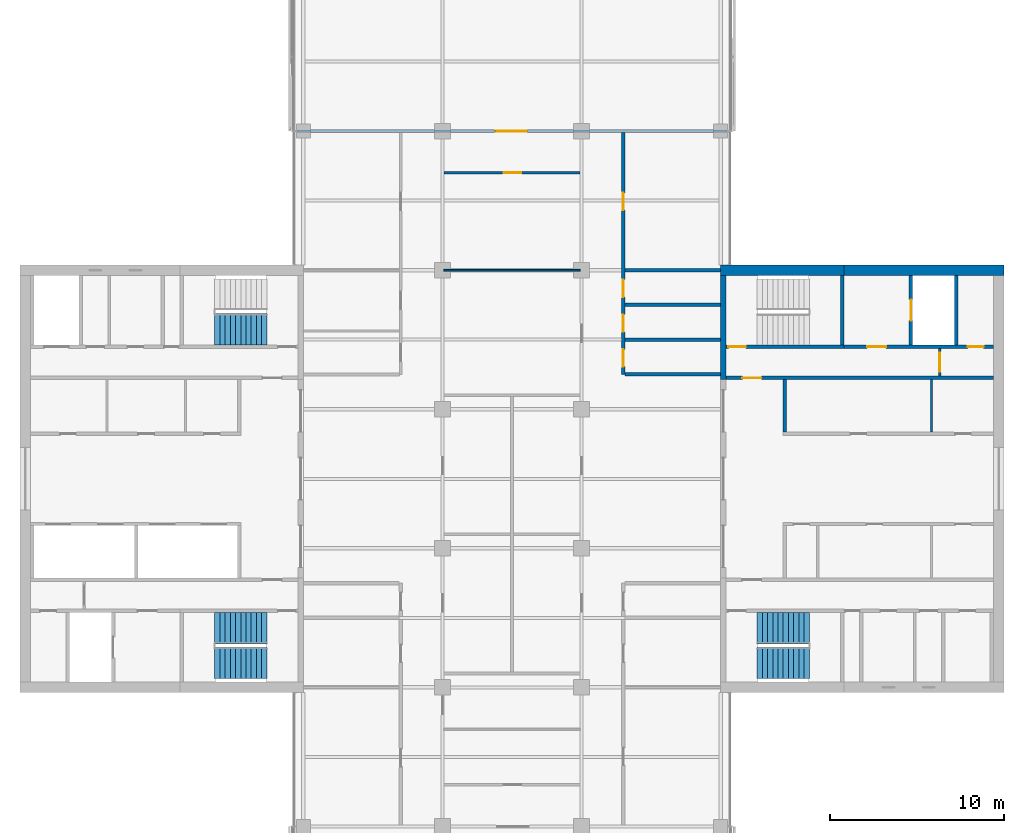
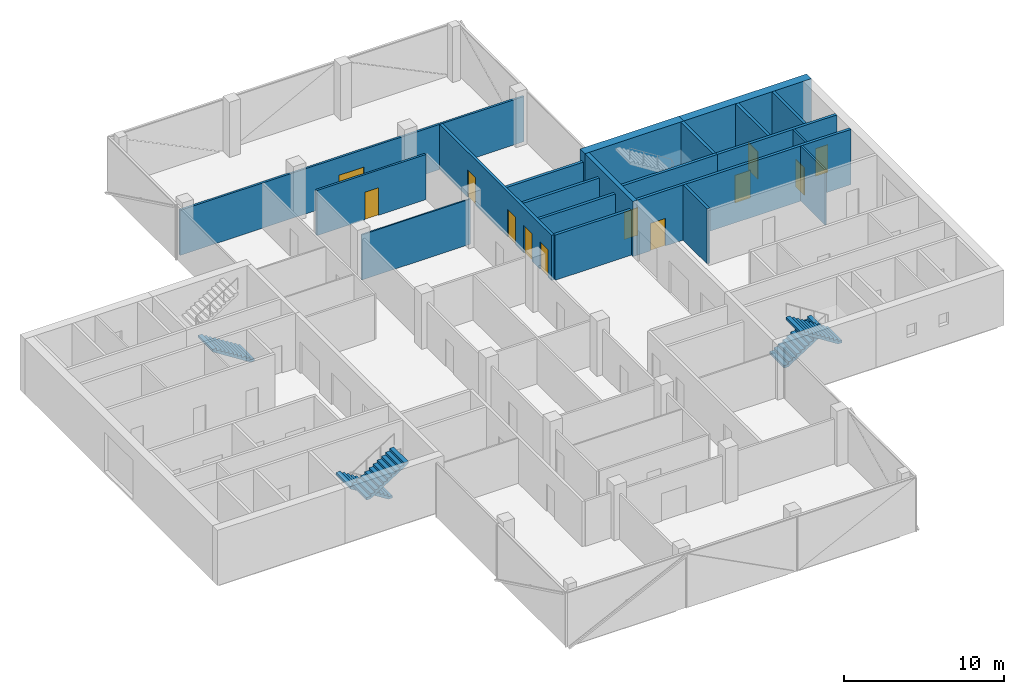
# One storey, part 12 of 16: 20 walls, 12 doors, 5 stair flights, 12 openings, 3 elements without a shape of their own.
"""IFC4 building model written with IfcOpenShell, lengths in metres."""

from ifc_helpers import new_model, si_unit, direction, frame, frame_2d, origin, place, context, subcontext, project, spatial, polyline, rectangle, outline, extrude, material, layer, layer_set, constituent, constituent_set, type_object, element, fill, aggregate, save


model = new_model("IFC4")

# Units and contexts
model_context = context("Model", 3, precision=1e-05, world=origin(), true_north=direction((0.0, 1.0)))
body_context = subcontext(model_context, "Body", "Model", "MODEL_VIEW")
ifc_project = project(units=[si_unit("LENGTHUNIT", "METRE"), si_unit("AREAUNIT", "SQUARE_METRE"), si_unit("VOLUMEUNIT", "CUBIC_METRE"), si_unit("PLANEANGLEUNIT", "RADIAN"), si_unit("MASSUNIT", "GRAM", prefix="KILO")], contexts=[model_context])

# Site, building, storey
site_placement = place(None, origin())
site = spatial("IfcSite", under=ifc_project, at=site_placement, CompositionType="ELEMENT")
building_placement = place(site_placement, origin())
building = spatial("IfcBuilding", under=site, at=building_placement, Name="Crosswind Convention Tower", CompositionType="ELEMENT")
storey_placement = place(building_placement, frame((0.0, 0.0, 208.300048828125)))
storey = spatial("IfcBuildingStorey", under=building, at=storey_placement, Name="L44", CompositionType="ELEMENT", Elevation=208.300048828125)

# Wall, openings, doors
ifc_material_1 = material(Name="Concrete blockwork", Category="masonry")
ifc_layer_1 = layer(ifc_material_1, 0.199951171875)
ifc_layer_set_1 = layer_set([ifc_layer_1], Name="COMPARTMENT WALL 200 BLOCKWORK")
wall_type_1 = type_object("IfcWallType", Name="COMPARTMENT WALL 200 BLOCKWORK", PredefinedType="SOLIDWALL", material=ifc_layer_set_1)
wall_1_placement = place(storey_placement, frame((131.39990234375, 106.0, 0.0), z_axis=(0.0, 0.0, 1.0), x_axis=(0.0, 1.0, 0.0)))
wall_1 = element("IfcWall", 1, at=wall_1_placement, inside=storey, type_object=wall_type_1, Name="Compartment wall WT42", PredefinedType="SOLIDWALL", context=body_context, shape_type="SweptSolid", body=[
    extrude(rectangle(XDim=13.925048828125, YDim=0.199951171875, at=frame_2d((6.96240234375, 0.0))), origin(), (0.0, 0.0, 1.0), 3.439697265625),
])
opening_1_placement = place(wall_1_placement, frame((0.449951171875, 0.0, 0.0)))
opening_1 = element("IfcOpeningElement", 2, at=opening_1_placement, cuts=wall_1, Name="Opening L44-50", PredefinedType="OPENING", context=body_context, shape_type="SweptSolid", body=[
    extrude(rectangle(XDim=1.0, YDim=2.10009765625, at=frame_2d((0.5, 1.050048828125))), frame((0.0, 0.10986328125, 0.0), z_axis=(0.0, -1.0, 0.0), x_axis=(1.0, 0.0, 0.0)), (0.0, 0.0, 1.0), 0.219970703125),
])
opening_2_placement = place(wall_1_placement, frame((2.449951171875, 0.0, 0.0)))
opening_2 = element("IfcOpeningElement", 3, at=opening_2_placement, cuts=wall_1, Name="Opening L44-51", PredefinedType="OPENING", context=body_context, shape_type="SweptSolid", body=[
    extrude(rectangle(XDim=1.0, YDim=2.10009765625, at=frame_2d((0.5, 1.050048828125))), frame((0.0, 0.10986328125, 0.0), z_axis=(0.0, -1.0, 0.0), x_axis=(1.0, 0.0, 0.0)), (0.0, 0.0, 1.0), 0.219970703125),
])
opening_3_placement = place(wall_1_placement, frame((4.449951171875, 0.0, 0.0)))
opening_3 = element("IfcOpeningElement", 4, at=opening_3_placement, cuts=wall_1, Name="Opening L44-52", PredefinedType="OPENING", context=body_context, shape_type="SweptSolid", body=[
    extrude(rectangle(XDim=1.0, YDim=2.10009765625, at=frame_2d((0.5, 1.050048828125))), frame((0.0, 0.10986328125, 0.0), z_axis=(0.0, -1.0, 0.0), x_axis=(1.0, 0.0, 0.0)), (0.0, 0.0, 1.0), 0.219970703125),
])
opening_4_placement = place(wall_1_placement, frame((9.449951171875, 0.0, 0.0)))
opening_4 = element("IfcOpeningElement", 5, at=opening_4_placement, cuts=wall_1, Name="Opening L44-53", PredefinedType="OPENING", context=body_context, shape_type="SweptSolid", body=[
    extrude(rectangle(XDim=1.0, YDim=2.10009765625, at=frame_2d((0.5, 1.050048828125))), frame((0.0, 0.10986328125, 0.0), z_axis=(0.0, -1.0, 0.0), x_axis=(1.0, 0.0, 0.0)), (0.0, 0.0, 1.0), 0.219970703125),
])
ifc_material_2 = material(Name="Steel fire door", Category="steel")
door_type_1 = type_object("IfcDoorType", Name="PLANT ROOM DOOR 1000X2100 FD60", OperationType="NOTDEFINED", PredefinedType="DOOR", material=ifc_material_2)
door_1_placement = place(opening_1_placement, frame((1.0, 0.0, 0.0), z_axis=(0.0, 0.0, 1.0), x_axis=(-1.0, 0.0, 0.0)))
door_1 = element("IfcDoor", 6, at=door_1_placement, inside=storey, type_object=door_type_1, Name="Door L44-50", ObjectType="D43", OperationType="SINGLE_SWING_RIGHT", OverallHeight=2.10009765625, OverallWidth=1.0, PredefinedType="DOOR", context=body_context, shape_type="SweptSolid", body=[
    extrude(rectangle(XDim=1.0, YDim=2.10009765625, at=frame_2d((0.5, 1.050048828125))), frame((0.0, 0.02490234375, 0.0), z_axis=(0.0, -1.0, 0.0), x_axis=(1.0, 0.0, 0.0)), (0.0, 0.0, 1.0), 0.050048828125),
])
fill(opening_1, door_1)
door_2_placement = place(opening_3_placement, frame((1.0, 0.0, 0.0), z_axis=(0.0, 0.0, 1.0), x_axis=(-1.0, 0.0, 0.0)))
door_2 = element("IfcDoor", 7, at=door_2_placement, inside=storey, type_object=door_type_1, Name="Door L44-52", ObjectType="D43", OperationType="SINGLE_SWING_RIGHT", OverallHeight=2.10009765625, OverallWidth=1.0, PredefinedType="DOOR", context=body_context, shape_type="SweptSolid", body=[
    extrude(rectangle(XDim=1.0, YDim=2.10009765625, at=frame_2d((0.5, 1.050048828125))), frame((0.0, 0.02490234375, 0.0), z_axis=(0.0, -1.0, 0.0), x_axis=(1.0, 0.0, 0.0)), (0.0, 0.0, 1.0), 0.050048828125),
])
fill(opening_3, door_2)
ifc_material_3 = material(Name="Timber fire door", Category="wood")
door_type_2 = type_object("IfcDoorType", Name="TENANCY ENTRANCE DOOR 1000X2100 FD30S", OperationType="NOTDEFINED", PredefinedType="DOOR", material=ifc_material_3)
door_3_placement = place(opening_2_placement, frame((1.0, 0.0, 0.0), z_axis=(0.0, 0.0, 1.0), x_axis=(-1.0, 0.0, 0.0)))
door_3 = element("IfcDoor", 8, at=door_3_placement, inside=storey, type_object=door_type_2, Name="Door L44-51", ObjectType="D41", OperationType="SINGLE_SWING_RIGHT", OverallHeight=2.10009765625, OverallWidth=1.0, PredefinedType="DOOR", context=body_context, shape_type="SweptSolid", body=[
    extrude(rectangle(XDim=1.0, YDim=2.10009765625, at=frame_2d((0.5, 1.050048828125))), frame((0.0, 0.02490234375, 0.0), z_axis=(0.0, -1.0, 0.0), x_axis=(1.0, 0.0, 0.0)), (0.0, 0.0, 1.0), 0.050048828125),
])
fill(opening_2, door_3)
door_4_placement = place(opening_4_placement, frame((1.0, 0.0, 0.0), z_axis=(0.0, 0.0, 1.0), x_axis=(-1.0, 0.0, 0.0)))
door_4 = element("IfcDoor", 9, at=door_4_placement, inside=storey, type_object=door_type_2, Name="Door L44-53", ObjectType="D41", OperationType="SINGLE_SWING_RIGHT", OverallHeight=2.10009765625, OverallWidth=1.0, PredefinedType="DOOR", context=body_context, shape_type="SweptSolid", body=[
    extrude(rectangle(XDim=1.0, YDim=2.10009765625, at=frame_2d((0.5, 1.050048828125))), frame((0.0, 0.02490234375, 0.0), z_axis=(0.0, -1.0, 0.0), x_axis=(1.0, 0.0, 0.0)), (0.0, 0.0, 1.0), 0.050048828125),
])
fill(opening_4, door_4)

# Walls
for number, where, z_axis, x_axis, name in (
    (10, (131.5, 106.0, 0.0), (0.0, 0.0, 1.0), (1.0, 0.0, 0.0), "Compartment wall WT42"),
    (11, (131.5, 108.0, 0.0), (0.0, 0.0, 1.0), (1.0, 0.0, 0.0), "Compartment wall WT42"),
    (12, (131.5, 110.0, 0.0), (0.0, 0.0, 1.0), (1.0, 0.0, 0.0), "Compartment wall WT42"),
    (13, (131.5, 112.0, 0.0), (0.0, 0.0, 1.0), (1.0, 0.0, 0.0), "Compartment wall WT42"),
):
    element("IfcWall", number, at=place(storey_placement, frame(where, z_axis=z_axis, x_axis=x_axis)), inside=storey, type_object=wall_type_1, Name=name, PredefinedType="SOLIDWALL", context=body_context, shape_type="SweptSolid", body=[
        extrude(rectangle(XDim=5.5, YDim=0.199951171875, at=frame_2d((2.75, 0.0))), origin(), (0.0, 0.0, 1.0), 3.439697265625),
    ])
ifc_material_4 = material(Name="Concrete C50/60", Category="concrete")
ifc_layer_2 = layer(ifc_material_4, 0.300048828125)
ifc_layer_set_2 = layer_set([ifc_layer_2], Name="Concrete C50/60")
wall_type_2 = type_object("IfcWallType", Name="Concrete inner core wall 300", PredefinedType="SHEAR", material=ifc_layer_set_2)
wall_2_placement = place(storey_placement, frame((137.14990234375, 105.699951171875, 0.0), z_axis=(0.0, 0.0, 1.0), x_axis=(0.0, 1.0, 0.0)))
element("IfcWall", 14, at=wall_2_placement, inside=storey, type_object=wall_type_2, Name="Wall EP E L44", PredefinedType="SHEAR", context=body_context, shape_type="SweptSolid", body=[
    extrude(rectangle(XDim=6.0, YDim=0.300048828125, at=frame_2d((3.0, 0.0))), origin(), (0.0, 0.0, 1.0), 4.199951171875),
])
ifc_layer_3 = layer(ifc_material_4, 0.199951171875)
ifc_layer_set_3 = layer_set([ifc_layer_3], Name="Concrete C50/60")
wall_type_3 = type_object("IfcWallType", Name="Concrete shaft and stair wall 200", PredefinedType="SHEAR", material=ifc_layer_set_3)
wall_3_placement = place(storey_placement, frame((140.699951171875, 102.699951171875, 0.0), z_axis=(0.0, 0.0, 1.0), x_axis=(0.0, 1.0, 0.0)))
element("IfcWall", 15, at=wall_3_placement, inside=storey, type_object=wall_type_3, Name="Wall RPEND E L44", PredefinedType="SHEAR", context=body_context, shape_type="SweptSolid", body=[
    extrude(rectangle(XDim=3.0, YDim=0.199951171875, at=frame_2d((1.5, 0.0))), origin(), (0.0, 0.0, 1.0), 4.199951171875),
])

# Wall, opening, door
wall_4_placement = place(storey_placement, frame((137.300048828125, 105.800048828125, 0.0), z_axis=(0.0, 0.0, 1.0), x_axis=(1.0, 0.0, 0.0)))
wall_4 = element("IfcWall", 16, at=wall_4_placement, inside=storey, type_object=wall_type_3, Name="Wall HP E L44", PredefinedType="SHEAR", context=body_context, shape_type="SweptSolid", body=[
    extrude(rectangle(XDim=15.39990234375, YDim=0.199951171875, at=frame_2d((7.699951171875, 0.0))), origin(), (0.0, 0.0, 1.0), 4.199951171875),
])
opening_5_placement = place(wall_4_placement, frame((0.949951171875, 0.0, 0.0)))
opening_5 = element("IfcOpeningElement", 17, at=opening_5_placement, cuts=wall_4, Name="Opening D104", PredefinedType="OPENING", context=body_context, shape_type="SweptSolid", body=[
    extrude(rectangle(XDim=1.10009765625, YDim=2.10009765625, at=frame_2d((0.550048828125, 1.050048828125))), frame((0.0, 0.10986328125, 0.0), z_axis=(0.0, -1.0, 0.0), x_axis=(1.0, 0.0, 0.0)), (0.0, 0.0, 1.0), 0.219970703125),
])
door_type_3 = type_object("IfcDoorType", Name="Fire-rated single door 1100x2100", OperationType="NOTDEFINED", PredefinedType="DOOR", material=ifc_material_2)
door_5_placement = place(opening_5_placement, origin())
door_5 = element("IfcDoor", 18, at=door_5_placement, inside=storey, type_object=door_type_3, Name="Corridor door L44", ObjectType="D104", OperationType="SINGLE_SWING_LEFT", OverallHeight=2.10009765625, OverallWidth=1.10009765625, PredefinedType="DOOR", context=body_context, shape_type="SweptSolid", body=[
    extrude(rectangle(XDim=1.10009765625, YDim=2.10009765625, at=frame_2d((0.550048828125, 1.050048828125))), frame((0.0, 0.02490234375, 0.0), z_axis=(0.0, -1.0, 0.0), x_axis=(1.0, 0.0, 0.0)), (0.0, 0.0, 1.0), 0.050048828125),
])
fill(opening_5, door_5)

# Wall
wall_5_placement = place(storey_placement, frame((144.0, 107.699951171875, 0.0), z_axis=(0.0, 0.0, 1.0), x_axis=(0.0, 1.0, 0.0)))
element("IfcWall", 19, at=wall_5_placement, inside=storey, type_object=wall_type_3, Name="Wall PSE E L44", PredefinedType="SHEAR", context=body_context, shape_type="SweptSolid", body=[
    extrude(rectangle(XDim=4.0, YDim=0.199951171875, at=frame_2d((2.0, 0.0))), origin(), (0.0, 0.0, 1.0), 4.199951171875),
])

# Wall, opening, door
wall_6_placement = place(storey_placement, frame((147.949951171875, 107.699951171875, 0.0), z_axis=(0.0, 0.0, 1.0), x_axis=(0.0, 1.0, 0.0)))
wall_6 = element("IfcWall", 20, at=wall_6_placement, inside=storey, type_object=wall_type_3, Name="Wall PFLW E L44", PredefinedType="SHEAR", context=body_context, shape_type="SweptSolid", body=[
    extrude(rectangle(XDim=4.0, YDim=0.199951171875, at=frame_2d((2.0, 0.0))), origin(), (0.0, 0.0, 1.0), 4.199951171875),
])
opening_6_placement = place(wall_6_placement, frame((1.39990234375, 0.0, 0.0)))
opening_6 = element("IfcOpeningElement", 21, at=opening_6_placement, cuts=wall_6, Name="Opening LD1", PredefinedType="OPENING", context=body_context, shape_type="SweptSolid", body=[
    extrude(rectangle(XDim=1.199951171875, YDim=2.10009765625, at=frame_2d((0.60009765625, 1.050048828125))), frame((0.0, 0.10986328125, 0.0), z_axis=(0.0, -1.0, 0.0), x_axis=(1.0, 0.0, 0.0)), (0.0, 0.0, 1.0), 0.219970703125),
])
ifc_material_5 = material(Name="Stainless steel", Category="steel")
door_type_4 = type_object("IfcDoorType", Name="Lift landing door 1200x2100", OperationType="DOUBLE_DOOR_SLIDING", PredefinedType="DOOR", material=ifc_material_5)
door_6_placement = place(opening_6_placement, origin())
door_6 = element("IfcDoor", 22, at=door_6_placement, inside=storey, type_object=door_type_4, Name="Landing door FF1 L44", ObjectType="LD1", OperationType="DOUBLE_DOOR_SLIDING", OverallHeight=2.10009765625, OverallWidth=1.199951171875, PredefinedType="DOOR", context=body_context, shape_type="SweptSolid", body=[
    extrude(rectangle(XDim=1.199951171875, YDim=2.10009765625, at=frame_2d((0.60009765625, 1.050048828125))), frame((0.0, 0.02490234375, 0.0), z_axis=(0.0, -1.0, 0.0), x_axis=(1.0, 0.0, 0.0)), (0.0, 0.0, 1.0), 0.050048828125),
])
fill(opening_6, door_6)

# Wall
wall_7_placement = place(storey_placement, frame((150.550048828125, 107.699951171875, 0.0), z_axis=(0.0, 0.0, 1.0), x_axis=(0.0, 1.0, 0.0)))
element("IfcWall", 23, at=wall_7_placement, inside=storey, type_object=wall_type_3, Name="Wall PFSE E L44", PredefinedType="SHEAR", context=body_context, shape_type="SweptSolid", body=[
    extrude(rectangle(XDim=4.0, YDim=0.199951171875, at=frame_2d((2.0, 0.0))), origin(), (0.0, 0.0, 1.0), 4.199951171875),
])

# Wall, opening, door
wall_8_placement = place(storey_placement, frame((137.300048828125, 107.60009765625, 0.0), z_axis=(0.0, 0.0, 1.0), x_axis=(1.0, 0.0, 0.0)))
wall_8 = element("IfcWall", 24, at=wall_8_placement, inside=storey, type_object=wall_type_3, Name="Wall PCW E L44", PredefinedType="SHEAR", context=body_context, shape_type="SweptSolid", body=[
    extrude(rectangle(XDim=6.800048828125, YDim=0.199951171875, at=frame_2d((3.39990234375, 0.0))), origin(), (0.0, 0.0, 1.0), 4.199951171875),
])
opening_7_placement = place(wall_8_placement, frame((0.14990234375, 0.0, 0.0)))
opening_7 = element("IfcOpeningElement", 25, at=opening_7_placement, cuts=wall_8, Name="Opening D103", PredefinedType="OPENING", context=body_context, shape_type="SweptSolid", body=[
    extrude(rectangle(XDim=1.0, YDim=2.10009765625, at=frame_2d((0.5, 1.050048828125))), frame((0.0, 0.10986328125, 0.0), z_axis=(0.0, -1.0, 0.0), x_axis=(1.0, 0.0, 0.0)), (0.0, 0.0, 1.0), 0.219970703125),
])
door_type_5 = type_object("IfcDoorType", Name="Fire-rated single door 1000x2100", OperationType="NOTDEFINED", PredefinedType="DOOR", material=ifc_material_2)
door_7_placement = place(opening_7_placement, origin())
door_7 = element("IfcDoor", 26, at=door_7_placement, inside=storey, type_object=door_type_5, Name="Stair ST1 door L44", ObjectType="D103", OperationType="SINGLE_SWING_LEFT", OverallHeight=2.10009765625, OverallWidth=1.0, PredefinedType="DOOR", context=body_context, shape_type="SweptSolid", body=[
    extrude(rectangle(XDim=1.0, YDim=2.10009765625, at=frame_2d((0.5, 1.050048828125))), frame((0.0, 0.02490234375, 0.0), z_axis=(0.0, -1.0, 0.0), x_axis=(1.0, 0.0, 0.0)), (0.0, 0.0, 1.0), 0.050048828125),
])
fill(opening_7, door_7)

# Wall, openings, doors
wall_9_placement = place(storey_placement, frame((144.10009765625, 107.60009765625, 0.0), z_axis=(0.0, 0.0, 1.0), x_axis=(1.0, 0.0, 0.0)))
wall_9 = element("IfcWall", 27, at=wall_9_placement, inside=storey, type_object=wall_type_3, Name="Wall PCX E L44", PredefinedType="SHEAR", context=body_context, shape_type="SweptSolid", body=[
    extrude(rectangle(XDim=8.599853515625, YDim=0.199951171875, at=frame_2d((4.2998046875, 0.0))), origin(), (0.0, 0.0, 1.0), 4.199951171875),
])
opening_8_placement = place(wall_9_placement, frame((1.324951171875, 0.0, 0.0)))
opening_8 = element("IfcOpeningElement", 28, at=opening_8_placement, cuts=wall_9, Name="Opening D104", PredefinedType="OPENING", context=body_context, shape_type="SweptSolid", body=[
    extrude(rectangle(XDim=1.10009765625, YDim=2.10009765625, at=frame_2d((0.550048828125, 1.050048828125))), frame((0.0, 0.10986328125, 0.0), z_axis=(0.0, -1.0, 0.0), x_axis=(1.0, 0.0, 0.0)), (0.0, 0.0, 1.0), 0.219970703125),
])
opening_9_placement = place(wall_9_placement, frame((7.125, 0.0, 0.0)))
opening_9 = element("IfcOpeningElement", 29, at=opening_9_placement, cuts=wall_9, Name="Opening D106", PredefinedType="OPENING", context=body_context, shape_type="SweptSolid", body=[
    extrude(rectangle(XDim=0.89990234375, YDim=2.10009765625, at=frame_2d((0.449951171875, 1.050048828125))), frame((0.0, 0.10986328125, 0.0), z_axis=(0.0, -1.0, 0.0), x_axis=(1.0, 0.0, 0.0)), (0.0, 0.0, 1.0), 0.219970703125),
])
door_8_placement = place(opening_8_placement, origin())
door_8 = element("IfcDoor", 30, at=door_8_placement, inside=storey, type_object=door_type_3, Name="Fire-fighting lobby FF1 door L44", ObjectType="D104", OperationType="SINGLE_SWING_RIGHT", OverallHeight=2.10009765625, OverallWidth=1.10009765625, PredefinedType="DOOR", context=body_context, shape_type="SweptSolid", body=[
    extrude(rectangle(XDim=1.10009765625, YDim=2.10009765625, at=frame_2d((0.550048828125, 1.050048828125))), frame((0.0, 0.02490234375, 0.0), z_axis=(0.0, -1.0, 0.0), x_axis=(1.0, 0.0, 0.0)), (0.0, 0.0, 1.0), 0.050048828125),
])
fill(opening_8, door_8)
ifc_material_6 = material(Name="Timber door", Category="wood")
door_type_6 = type_object("IfcDoorType", Name="Single leaf door 900x2100", OperationType="NOTDEFINED", PredefinedType="DOOR", material=ifc_material_6)
door_9_placement = place(opening_9_placement, origin())
door_9 = element("IfcDoor", 31, at=door_9_placement, inside=storey, type_object=door_type_6, Name="Door to telecoms room L44", ObjectType="D106", OperationType="SINGLE_SWING_RIGHT", OverallHeight=2.10009765625, OverallWidth=0.89990234375, PredefinedType="DOOR", context=body_context, shape_type="SweptSolid", body=[
    extrude(rectangle(XDim=0.89990234375, YDim=2.10009765625, at=frame_2d((0.449951171875, 1.050048828125))), frame((0.0, 0.02490234375, 0.0), z_axis=(0.0, -1.0, 0.0), x_axis=(1.0, 0.0, 0.0)), (0.0, 0.0, 1.0), 0.050048828125),
])
fill(opening_9, door_9)

# Wall
ifc_material_7 = material(Name="Gypsum plasterboard partition", Category="gypsum")
ifc_layer_4 = layer(ifc_material_7, 0.125)
ifc_layer_set_4 = layer_set([ifc_layer_4], Name="Drywall partition wall 125")
wall_type_4 = type_object("IfcWallType", Name="Drywall partition wall 125", PredefinedType="PARTITIONING", material=ifc_layer_set_4)
wall_10_placement = place(storey_placement, frame((149.1298828125, 102.699951171875, 0.0), z_axis=(0.0, 0.0, 1.0), x_axis=(0.0, 1.0, 0.0)))
element("IfcWall", 32, at=wall_10_placement, inside=storey, type_object=wall_type_4, Name="Wall RPP1 E L44", PredefinedType="PARTITIONING", context=body_context, shape_type="SweptSolid", body=[
    extrude(rectangle(XDim=3.0, YDim=0.125, at=frame_2d((1.5, 0.0))), origin(), (0.0, 0.0, 1.0), 4.199951171875),
])

# Wall, opening, door
wall_11_placement = place(storey_placement, frame((149.60009765625, 105.89990234375, 0.0), z_axis=(0.0, 0.0, 1.0), x_axis=(0.0, 1.0, 0.0)))
wall_11 = element("IfcWall", 33, at=wall_11_placement, inside=storey, type_object=wall_type_4, Name="Wall PXC1 E L44", PredefinedType="PARTITIONING", context=body_context, shape_type="SweptSolid", body=[
    extrude(rectangle(XDim=1.60009765625, YDim=0.125, at=frame_2d((0.800048828125, 0.0))), origin(), (0.0, 0.0, 1.0), 4.199951171875),
])
opening_10_placement = place(wall_11_placement, frame((0.25, 0.0, 0.0)))
opening_10 = element("IfcOpeningElement", 34, at=opening_10_placement, cuts=wall_11, Name="Opening D104", PredefinedType="OPENING", context=body_context, shape_type="SweptSolid", body=[
    extrude(rectangle(XDim=1.10009765625, YDim=2.10009765625, at=frame_2d((0.550048828125, 1.050048828125))), frame((0.0, 0.072509765625, 0.0), z_axis=(0.0, -1.0, 0.0), x_axis=(1.0, 0.0, 0.0)), (0.0, 0.0, 1.0), 0.14501953125),
])
door_10_placement = place(opening_10_placement, origin())
door_10 = element("IfcDoor", 35, at=door_10_placement, inside=storey, type_object=door_type_3, Name="Corridor smoke door L44", ObjectType="D104", OperationType="SINGLE_SWING_RIGHT", OverallHeight=2.10009765625, OverallWidth=1.10009765625, PredefinedType="DOOR", context=body_context, shape_type="SweptSolid", body=[
    extrude(rectangle(XDim=1.10009765625, YDim=2.10009765625, at=frame_2d((0.550048828125, 1.050048828125))), frame((0.0, 0.02490234375, 0.0), z_axis=(0.0, -1.0, 0.0), x_axis=(1.0, 0.0, 0.0)), (0.0, 0.0, 1.0), 0.050048828125),
])
fill(opening_10, door_10)

# Wall
ifc_material_8 = material(Name="Plasterboard partition", Category="gypsum")
ifc_layer_5 = layer(ifc_material_8, 0.10009765625)
ifc_layer_set_5 = layer_set([ifc_layer_5], Name="PARTITION 100 METAL STUD")
wall_type_5 = type_object("IfcWallType", Name="PARTITION 100 METAL STUD", PredefinedType="PARTITIONING", material=ifc_layer_set_5)
wall_12_placement = place(storey_placement, frame((121.074951171875, 112.0, 0.0), z_axis=(0.0, 0.0, 1.0), x_axis=(1.0, 0.0, 0.0)))
element("IfcWall", 36, at=wall_12_placement, inside=storey, type_object=wall_type_5, Name="Partition wall WT40", PredefinedType="PARTITIONING", context=body_context, shape_type="SweptSolid", body=[
    extrude(rectangle(XDim=7.85009765625, YDim=0.10009765625, at=frame_2d((3.925048828125, 0.0))), origin(), (0.0, 0.0, 1.0), 3.439697265625),
])

# Wall, opening, door
ifc_material_9 = material(Name="Fire-board partition with mineral wool", Category="gypsum")
ifc_layer_6 = layer(ifc_material_9, 0.14990234375)
ifc_layer_set_6 = layer_set([ifc_layer_6], Name="TENANCY WALL 150 TWO-HOUR BOARD")
wall_type_6 = type_object("IfcWallType", Name="TENANCY WALL 150 TWO-HOUR BOARD", PredefinedType="PARTITIONING", material=ifc_layer_set_6)
wall_13_placement = place(storey_placement, frame((121.074951171875, 117.60009765625, 0.0), z_axis=(0.0, 0.0, 1.0), x_axis=(1.0, 0.0, 0.0)))
wall_13 = element("IfcWall", 37, at=wall_13_placement, inside=storey, type_object=wall_type_6, Name="Tenancy wall WT41", PredefinedType="PARTITIONING", context=body_context, shape_type="SweptSolid", body=[
    extrude(rectangle(XDim=7.85009765625, YDim=0.14990234375, at=frame_2d((3.925048828125, 0.0))), origin(), (0.0, 0.0, 1.0), 3.439697265625),
])
opening_11_placement = place(wall_13_placement, frame((3.449951171875, 0.0, 0.0)))
opening_11 = element("IfcOpeningElement", 38, at=opening_11_placement, cuts=wall_13, Name="Opening L44-72", PredefinedType="OPENING", context=body_context, shape_type="SweptSolid", body=[
    extrude(rectangle(XDim=1.0, YDim=2.10009765625, at=frame_2d((0.5, 1.050048828125))), frame((0.0, 0.0849609375, 0.0), z_axis=(0.0, -1.0, 0.0), x_axis=(1.0, 0.0, 0.0)), (0.0, 0.0, 1.0), 0.169921875),
])
door_11_placement = place(opening_11_placement, frame((1.0, 0.0, 0.0), z_axis=(0.0, 0.0, 1.0), x_axis=(-1.0, 0.0, 0.0)))
door_11 = element("IfcDoor", 39, at=door_11_placement, inside=storey, type_object=door_type_2, Name="Door L44-72", ObjectType="D41", OperationType="SINGLE_SWING_LEFT", OverallHeight=2.10009765625, OverallWidth=1.0, PredefinedType="DOOR", context=body_context, shape_type="SweptSolid", body=[
    extrude(rectangle(XDim=1.0, YDim=2.10009765625, at=frame_2d((0.5, 1.050048828125))), frame((0.0, 0.02490234375, 0.0), z_axis=(0.0, -1.0, 0.0), x_axis=(1.0, 0.0, 0.0)), (0.0, 0.0, 1.0), 0.050048828125),
])
fill(opening_11, door_11)

wall_14_placement = place(storey_placement, frame((112.6298828125, 120.0, 0.0), z_axis=(0.0, 0.0, 1.0), x_axis=(1.0, 0.0, 0.0)))
wall_14 = element("IfcWall", 40, at=wall_14_placement, inside=storey, type_object=wall_type_6, Name="Tenancy wall WT41", PredefinedType="PARTITIONING", context=body_context, shape_type="SweptSolid", body=[
    extrude(rectangle(XDim=24.740234375, YDim=0.14990234375, at=frame_2d((12.3701171875, 0.0))), origin(), (0.0, 0.0, 1.0), 3.439697265625),
])
opening_12_placement = place(wall_14_placement, frame((11.419921875, 0.0, 0.0)))
opening_12 = element("IfcOpeningElement", 41, at=opening_12_placement, cuts=wall_14, Name="Opening L44-63", PredefinedType="OPENING", context=body_context, shape_type="SweptSolid", body=[
    extrude(rectangle(XDim=1.800048828125, YDim=2.10009765625, at=frame_2d((0.89990234375, 1.050048828125))), frame((0.0, 0.0849609375, 0.0), z_axis=(0.0, -1.0, 0.0), x_axis=(1.0, 0.0, 0.0)), (0.0, 0.0, 1.0), 0.169921875),
])
door_type_7 = type_object("IfcDoorType", Name="TENANCY ENTRANCE DOUBLE DOOR 1800X2100 FD30S", OperationType="DOUBLE_DOOR_SINGLE_SWING", PredefinedType="DOOR", material=ifc_material_3)
door_12_placement = place(opening_12_placement, origin())
door_12 = element("IfcDoor", 42, at=door_12_placement, inside=storey, type_object=door_type_7, Name="Door L44-63", ObjectType="D42", OperationType="DOUBLE_DOOR_SINGLE_SWING", OverallHeight=2.10009765625, OverallWidth=1.800048828125, PredefinedType="DOOR", context=body_context, shape_type="SweptSolid", body=[
    extrude(rectangle(XDim=1.800048828125, YDim=2.10009765625, at=frame_2d((0.89990234375, 1.050048828125))), frame((0.0, 0.02490234375, 0.0), z_axis=(0.0, -1.0, 0.0), x_axis=(1.0, 0.0, 0.0)), (0.0, 0.0, 1.0), 0.050048828125),
])
fill(opening_12, door_12)

# Walls
ifc_material_10 = material(Name="Concrete C60/75", Category="concrete")
ifc_constituent_1 = constituent(ifc_material_10, Name="Structure")
ifc_material_11 = material(Name="Terracotta rainscreen", Category="ceramic")
ifc_constituent_2 = constituent(ifc_material_11, Name="Facing")
ifc_constituent_set = constituent_set(constituents=[ifc_constituent_1, ifc_constituent_2], Name="Concrete C60/75, Terracotta rainscreen")
wall_type_7 = type_object("IfcWallType", Name="Terracotta rainscreen on concrete core wall 600", PredefinedType="SHEAR", material=ifc_constituent_set)
wall_15_placement = place(storey_placement, frame((137.0, 112.0, 0.0), z_axis=(0.0, 0.0, 1.0), x_axis=(1.0, 0.0, 0.0)))
element("IfcWall", 43, at=wall_15_placement, inside=storey, type_object=wall_type_7, Name="Wall N1 E L44", PredefinedType="SHEAR", context=body_context, shape_type="SweptSolid", body=[
    extrude(rectangle(XDim=7.10009765625, YDim=0.60009765625, at=frame_2d((3.550048828125, 0.0))), origin(), (0.0, 0.0, 1.0), 4.199951171875),
])
wall_16_placement = place(storey_placement, frame((144.10009765625, 112.0, 0.0), z_axis=(0.0, 0.0, 1.0), x_axis=(1.0, 0.0, 0.0)))
element("IfcWall", 44, at=wall_16_placement, inside=storey, type_object=wall_type_7, Name="Wall N2 E L44", PredefinedType="SHEAR", context=body_context, shape_type="SweptSolid", body=[
    extrude(rectangle(XDim=9.199951171875, YDim=0.60009765625, at=frame_2d((4.60009765625, 0.0))), origin(), (0.0, 0.0, 1.0), 4.199951171875),
])

# Stair, stair flights
ifc_material_12 = material(Name="Concrete C40/50", Category="concrete")
stair_type = type_object("IfcStairType", Name="Exit stair 1800 wide, 2 flights of 11 risers", PredefinedType="HALF_TURN_STAIR", material=ifc_material_12)
stair_1_placement = place(storey_placement, origin())
stair_1 = element("IfcStair", 45, at=stair_1_placement, inside=storey, type_object=stair_type, Name="Exit stair ST2 L44", ObjectType="ST5", PredefinedType="HALF_TURN_STAIR")
stair_flight_type = type_object("IfcStairFlightType", Name="Stair flight 1800 wide, 11 risers (SF4)", PredefinedType="STRAIGHT", material=ifc_material_12)
stair_flight_1_placement = place(storey_placement, frame((139.10009765625, 91.39990234375, 0.0), z_axis=(0.0, 0.0, 1.0), x_axis=(1.0, 0.0, 0.0)))
stair_flight_1 = element("IfcStairFlight", 46, at=stair_flight_1_placement, type_object=stair_flight_type, Name="ST2 flight 1", NumberOfRisers=11, NumberOfTreads=10, PredefinedType="STRAIGHT", RiserHeight=0.190909091, TreadLength=0.3, context=body_context, shape_type="SweptSolid", body=[
    extrude(outline(polyline([(0.0, 0.0), (0.0, 0.19091796875), (0.300048828125, 0.19091796875), (0.300048828125, 0.3818359375), (0.60009765625, 0.3818359375), (0.60009765625, 0.57275390625), (0.89990234375, 0.57275390625), (0.89990234375, 0.763671875), (1.199951171875, 0.763671875), (1.199951171875, 0.95458984375), (1.5, 0.95458984375), (1.5, 1.1455078125), (1.800048828125, 1.1455078125), (1.800048828125, 1.33642578125), (2.10009765625, 1.33642578125), (2.10009765625, 1.52734375), (2.39990234375, 1.52734375), (2.39990234375, 1.71826171875), (2.699951171875, 1.71826171875), (2.699951171875, 1.9091796875), (3.0, 1.9091796875), (3.0, 2.10009765625), (3.0, 1.7314453125), (0.279296875, 0.0), (0.0, 0.0)])), frame((0.0, 0.89990234375, 0.0), z_axis=(0.0, -1.0, 0.0), x_axis=(1.0, 0.0, 0.0)), (0.0, 0.0, 1.0), 1.800048828125),
])
stair_flight_2_placement = place(storey_placement, frame((142.10009765625, 89.39990234375, 2.099853515625), z_axis=(0.0, 0.0, 1.0), x_axis=(-1.0, 0.0, 0.0)))
stair_flight_2 = element("IfcStairFlight", 47, at=stair_flight_2_placement, type_object=stair_flight_type, Name="ST2 flight 2", NumberOfRisers=11, NumberOfTreads=10, PredefinedType="STRAIGHT", RiserHeight=0.190909091, TreadLength=0.3, context=body_context, shape_type="SweptSolid", body=[
    extrude(outline(polyline([(0.0, 0.0), (0.0, 0.19091796875), (0.300048828125, 0.19091796875), (0.300048828125, 0.3818359375), (0.60009765625, 0.3818359375), (0.60009765625, 0.57275390625), (0.89990234375, 0.57275390625), (0.89990234375, 0.763671875), (1.199951171875, 0.763671875), (1.199951171875, 0.95458984375), (1.5, 0.95458984375), (1.5, 1.1455078125), (1.800048828125, 1.1455078125), (1.800048828125, 1.33642578125), (2.10009765625, 1.33642578125), (2.10009765625, 1.52734375), (2.39990234375, 1.52734375), (2.39990234375, 1.71826171875), (2.699951171875, 1.71826171875), (2.699951171875, 1.9091796875), (3.0, 1.9091796875), (3.0, 2.10009765625), (3.0, 1.7314453125), (0.279296875, 0.0), (0.0, 0.0)])), frame((0.0, 0.89990234375, 0.0), z_axis=(0.0, -1.0, 0.0), x_axis=(1.0, 0.0, 0.0)), (0.0, 0.0, 1.0), 1.800048828125),
])
aggregate(stair_1, [stair_flight_1, stair_flight_2])

stair_2_placement = place(storey_placement, origin())
stair_2 = element("IfcStair", 48, at=stair_2_placement, inside=storey, type_object=stair_type, Name="Exit stair ST3 L44", ObjectType="ST5", PredefinedType="HALF_TURN_STAIR")
stair_flight_3_placement = place(storey_placement, frame((110.89990234375, 91.39990234375, 0.0), z_axis=(0.0, 0.0, 1.0), x_axis=(-1.0, 0.0, 0.0)))
stair_flight_3 = element("IfcStairFlight", 49, at=stair_flight_3_placement, type_object=stair_flight_type, Name="ST3 flight 1", NumberOfRisers=11, NumberOfTreads=10, PredefinedType="STRAIGHT", RiserHeight=0.190909091, TreadLength=0.3, context=body_context, shape_type="SweptSolid", body=[
    extrude(outline(polyline([(0.0, 0.0), (0.0, 0.19091796875), (0.300048828125, 0.19091796875), (0.300048828125, 0.3818359375), (0.60009765625, 0.3818359375), (0.60009765625, 0.57275390625), (0.89990234375, 0.57275390625), (0.89990234375, 0.763671875), (1.199951171875, 0.763671875), (1.199951171875, 0.95458984375), (1.5, 0.95458984375), (1.5, 1.1455078125), (1.800048828125, 1.1455078125), (1.800048828125, 1.33642578125), (2.10009765625, 1.33642578125), (2.10009765625, 1.52734375), (2.39990234375, 1.52734375), (2.39990234375, 1.71826171875), (2.699951171875, 1.71826171875), (2.699951171875, 1.9091796875), (3.0, 1.9091796875), (3.0, 2.10009765625), (3.0, 1.7314453125), (0.279296875, 0.0), (0.0, 0.0)])), frame((0.0, 0.89990234375, 0.0), z_axis=(0.0, -1.0, 0.0), x_axis=(1.0, 0.0, 0.0)), (0.0, 0.0, 1.0), 1.800048828125),
])
stair_flight_4_placement = place(storey_placement, frame((107.89990234375, 89.39990234375, 2.099853515625), z_axis=(0.0, 0.0, 1.0), x_axis=(1.0, 0.0, 0.0)))
stair_flight_4 = element("IfcStairFlight", 50, at=stair_flight_4_placement, type_object=stair_flight_type, Name="ST3 flight 2", NumberOfRisers=11, NumberOfTreads=10, PredefinedType="STRAIGHT", RiserHeight=0.190909091, TreadLength=0.3, context=body_context, shape_type="SweptSolid", body=[
    extrude(outline(polyline([(0.0, 0.0), (0.0, 0.19091796875), (0.300048828125, 0.19091796875), (0.300048828125, 0.3818359375), (0.60009765625, 0.3818359375), (0.60009765625, 0.57275390625), (0.89990234375, 0.57275390625), (0.89990234375, 0.763671875), (1.199951171875, 0.763671875), (1.199951171875, 0.95458984375), (1.5, 0.95458984375), (1.5, 1.1455078125), (1.800048828125, 1.1455078125), (1.800048828125, 1.33642578125), (2.10009765625, 1.33642578125), (2.10009765625, 1.52734375), (2.39990234375, 1.52734375), (2.39990234375, 1.71826171875), (2.699951171875, 1.71826171875), (2.699951171875, 1.9091796875), (3.0, 1.9091796875), (3.0, 2.10009765625), (3.0, 1.7314453125), (0.279296875, 0.0), (0.0, 0.0)])), frame((0.0, 0.89990234375, 0.0), z_axis=(0.0, -1.0, 0.0), x_axis=(1.0, 0.0, 0.0)), (0.0, 0.0, 1.0), 1.800048828125),
])
aggregate(stair_2, [stair_flight_3, stair_flight_4])

# Stair, stair flight
stair_3_placement = place(storey_placement, origin())
stair_3 = element("IfcStair", 51, at=stair_3_placement, inside=storey, type_object=stair_type, Name="Exit stair ST4 L44", ObjectType="ST5", PredefinedType="HALF_TURN_STAIR")
stair_flight_5_placement = place(storey_placement, frame((110.89990234375, 108.60009765625, 0.0), z_axis=(0.0, 0.0, 1.0), x_axis=(-1.0, 0.0, 0.0)))
stair_flight_5 = element("IfcStairFlight", 52, at=stair_flight_5_placement, type_object=stair_flight_type, Name="ST4 flight 1", NumberOfRisers=11, NumberOfTreads=10, PredefinedType="STRAIGHT", RiserHeight=0.190909091, TreadLength=0.3, context=body_context, shape_type="SweptSolid", body=[
    extrude(outline(polyline([(0.0, 0.0), (0.0, 0.19091796875), (0.300048828125, 0.19091796875), (0.300048828125, 0.3818359375), (0.60009765625, 0.3818359375), (0.60009765625, 0.57275390625), (0.89990234375, 0.57275390625), (0.89990234375, 0.763671875), (1.199951171875, 0.763671875), (1.199951171875, 0.95458984375), (1.5, 0.95458984375), (1.5, 1.1455078125), (1.800048828125, 1.1455078125), (1.800048828125, 1.33642578125), (2.10009765625, 1.33642578125), (2.10009765625, 1.52734375), (2.39990234375, 1.52734375), (2.39990234375, 1.71826171875), (2.699951171875, 1.71826171875), (2.699951171875, 1.9091796875), (3.0, 1.9091796875), (3.0, 2.10009765625), (3.0, 1.7314453125), (0.279296875, 0.0), (0.0, 0.0)])), frame((0.0, 0.89990234375, 0.0), z_axis=(0.0, -1.0, 0.0), x_axis=(1.0, 0.0, 0.0)), (0.0, 0.0, 1.0), 1.800048828125),
])
aggregate(stair_3, [stair_flight_5])

save(model, "model.ifc")
